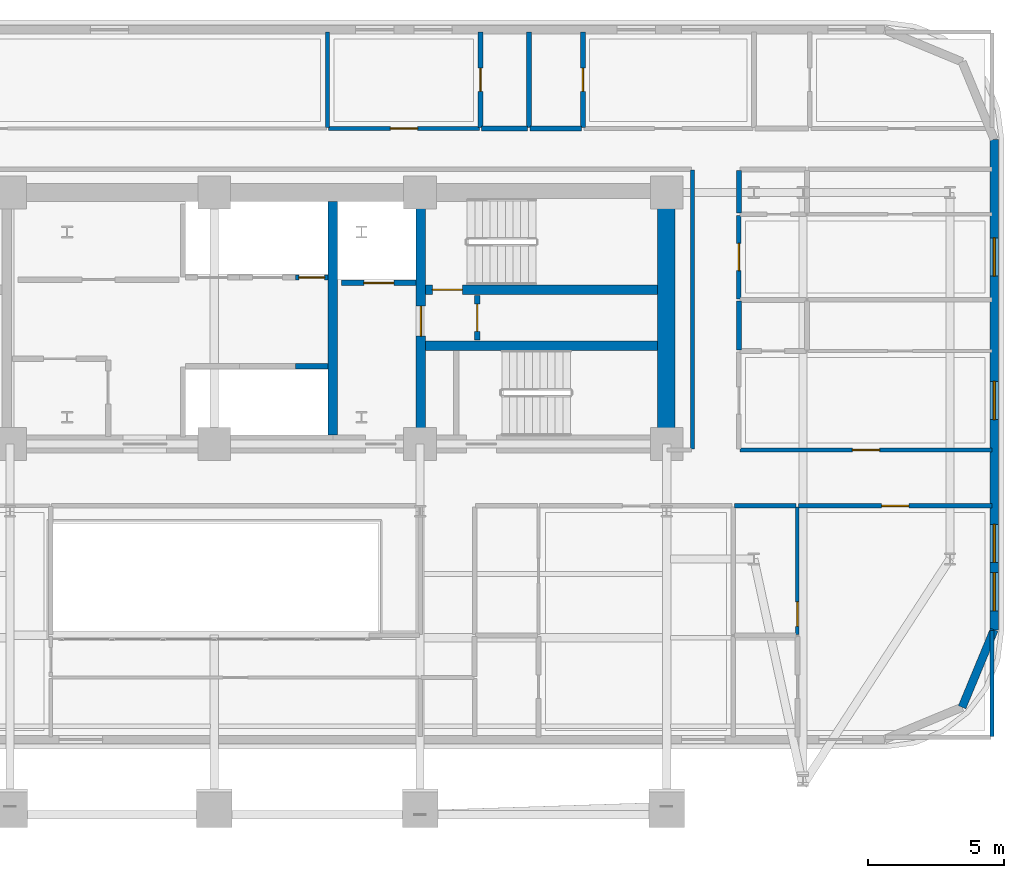
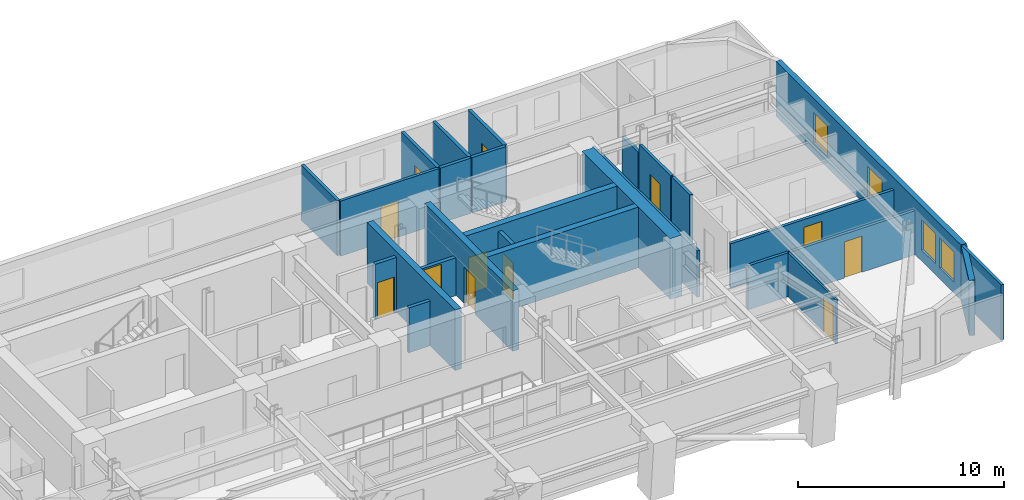
# One storey, part 10 of 14: 27 walls, 12 doors, 4 windows, 16 openings.
"""IFC4 building model written with IfcOpenShell, lengths in metres."""

import ifcopenshell
import ifcopenshell.guid

model = None  # the IFC model being written
_history = None  # IfcOwnerHistory: only IFC2X3 demands one
_inside = {}  # id of a spatial element -> (the spatial element, [elements in it])
_under = {}  # id of a project, library or spatial element -> (it, [spatial elements below it])
_declared = {}  # id of a project -> (the project, [libraries it declares])
_typed = {}  # id of a type object -> (the type object, [elements of that type])
_made_of = {}  # id of a material, layer set ... -> (it, [elements and type objects made of it])


def new_model(schema):
    """Start an empty IFC model of exactly this schema.

    Asked for "IFC4X3", IfcOpenShell would pick the latest addendum, in which some entities
    have other attributes; the version numbers below select the first issue.
    IFC2X3 requires an IfcOwnerHistory on every rooted entity: one is made here for all.
    """
    global model, _history
    if schema == "IFC4X3":
        model = ifcopenshell.file(schema_version=(4, 3, 0, 0))
    else:
        model = ifcopenshell.file(schema=schema)
    _inside.clear()
    _under.clear()
    _declared.clear()
    _typed.clear()
    _made_of.clear()
    _history = None
    if model.schema == "IFC2X3":
        org = make("IfcOrganization", Name="unknown")
        user = make(
            "IfcPersonAndOrganization",
            ThePerson=make("IfcPerson", FamilyName="unknown"),
            TheOrganization=org,
        )
        app = make(
            "IfcApplication",
            ApplicationDeveloper=org,
            Version="unknown",
            ApplicationFullName="unknown",
            ApplicationIdentifier="unknown",
        )
        _history = make(
            "IfcOwnerHistory",
            OwningUser=user,
            OwningApplication=app,
            ChangeAction="ADDED",
            CreationDate=0,
        )
    return model


def make(cls, **values):
    """One entity of the class cls with the attributes given. An attribute that is None is left unset."""
    return model.create_entity(
        cls, **{name: value for name, value in values.items() if value is not None}
    )


def rooted(cls, **values):
    """An entity with a GlobalId (a new one), such as an element, a storey or a relation."""
    return make(cls, GlobalId=ifcopenshell.guid.new(), OwnerHistory=_history, **values)


def si_unit(unit_type, name, prefix=None):
    """IfcSIUnit, for example si_unit("LENGTHUNIT", "METRE", prefix="MILLI")."""
    return make("IfcSIUnit", UnitType=unit_type, Prefix=prefix, Name=name)


def assignment(units):
    """IfcUnitAssignment: the units of a project."""
    return None if units is None else make("IfcUnitAssignment", Units=units)


def point(xyz):
    """IfcCartesianPoint."""
    return None if xyz is None else make("IfcCartesianPoint", Coordinates=xyz)


def direction(xyz):
    """IfcDirection."""
    return None if xyz is None else make("IfcDirection", DirectionRatios=xyz)


def frame(location, z_axis=None, x_axis=None):
    """IfcAxis2Placement3D, a coordinate frame: its origin and axes. An axis left out is left unset."""
    return make(
        "IfcAxis2Placement3D",
        Location=point(location),
        Axis=direction(z_axis),
        RefDirection=direction(x_axis),
    )


def frame_2d(location, x_axis=None):
    """IfcAxis2Placement2D, a coordinate frame in the plane: its origin and x axis."""
    return make(
        "IfcAxis2Placement2D", Location=point(location), RefDirection=direction(x_axis)
    )


def origin():
    """The frame at (0, 0, 0) with its axes left unset."""
    return frame((0.0, 0.0, 0.0))


def place(relative_to, where):
    """IfcLocalPlacement: puts the frame where relative to a parent placement (None: the world)."""
    return make(
        "IfcLocalPlacement", PlacementRelTo=relative_to, RelativePlacement=where
    )


def context(
    kind, dimensions, precision=None, world=None, true_north=None, identifier=None
):
    """IfcGeometricRepresentationContext, for example the 3D "Model" context."""
    return make(
        "IfcGeometricRepresentationContext",
        ContextIdentifier=identifier,
        ContextType=kind,
        CoordinateSpaceDimension=dimensions,
        Precision=precision,
        WorldCoordinateSystem=world,
        TrueNorth=true_north,
    )


def subcontext(parent, identifier, kind, view, scale=None):
    """IfcGeometricRepresentationSubContext, for example "Body" below "Model"."""
    return make(
        "IfcGeometricRepresentationSubContext",
        ContextIdentifier=identifier,
        ContextType=kind,
        ParentContext=parent,
        TargetScale=scale,
        TargetView=view,
    )


def project(units=None, contexts=None):
    """IfcProject with its units and contexts."""
    return rooted(
        "IfcProject",
        Name="project",
        RepresentationContexts=contexts,
        UnitsInContext=assignment(units),
    )


def spatial(cls, under=None, at=None, **own):
    """A site, building, storey or space (cls), placed at a placement, below another one or the project."""
    s = rooted(cls, ObjectPlacement=at, **own)
    if under is not None:
        _under.setdefault(under.id(), (under, []))[1].append(s)
    return s


def profile(cls, at=None, kind="AREA", **sizes):
    """A parametric profile (cls). Its sizes go by their IFC names, for example OverallWidth=200.0."""
    return make(cls, ProfileType=kind, Position=at, **sizes)


def rectangle(**sizes):
    """IfcRectangleProfileDef."""
    return profile("IfcRectangleProfileDef", **sizes)


def extrude(swept, where, along, depth):
    """IfcExtrudedAreaSolid: the profile swept, set in the frame where, extruded along a direction by depth."""
    return make(
        "IfcExtrudedAreaSolid",
        SweptArea=swept,
        Position=where,
        ExtrudedDirection=direction(along),
        Depth=depth,
    )


def shape(context_of_items, identifier, shape_type, items):
    """IfcShapeRepresentation: the items that make up one representation, for example the "Body"."""
    return make(
        "IfcShapeRepresentation",
        ContextOfItems=context_of_items,
        RepresentationIdentifier=identifier,
        RepresentationType=shape_type,
        Items=items,
    )


def material(Name=None, Category=None):
    """IfcMaterial."""
    return make("IfcMaterial", Name=Name, Category=Category)


def layer(
    of_material, thickness, ventilated=None, Name=None, Category=None, Priority=None
):
    """IfcMaterialLayer: one layer of a wall or slab, of a material (None: an air gap)."""
    return make(
        "IfcMaterialLayer",
        Material=of_material,
        LayerThickness=thickness,
        IsVentilated=ventilated,
        Name=Name,
        Category=Category,
        Priority=Priority,
    )


def layer_set(layers, Name=None):
    """IfcMaterialLayerSet."""
    return make("IfcMaterialLayerSet", MaterialLayers=layers, LayerSetName=Name)


def made_of(thing, what):
    """Note that an element or type object is made of a material, layer set ...; save() writes the relation."""
    if what is not None:
        _made_of.setdefault(what.id(), (what, []))[1].append(thing)
    return thing


def type_object(cls, material=None, **own):
    """A type object (cls), such as IfcWallType, which elements share."""
    return made_of(rooted(cls, **own), material)


def element(
    cls,
    number,
    at=None,
    inside=None,
    cuts=None,
    type_object=None,
    material=None,
    context=None,
    identifier="Body",
    shape_type=None,
    held_by="IfcProductDefinitionShape",
    body=None,
    shapes=None,
    **own,
):
    """One element of the class cls, such as IfcWall. Its Tag is "e" and its number.

    at: its placement. inside: the storey or other place that contains it. cuts: it is an
    opening in that element (IfcRelVoidsElement). A single representation is given by context,
    identifier, shape_type and body (its items); several are given by shapes. held_by: the class
    of the entity that holds the representations. save() writes the other relations.
    """
    e = rooted(cls, Tag="e%d" % number, ObjectPlacement=at, **own)
    if body is not None:
        shapes = [shape(context, identifier, shape_type, body)]
    if shapes is not None:
        e.Representation = make(held_by, Representations=shapes)
    if inside is not None:
        _inside.setdefault(inside.id(), (inside, []))[1].append(e)
    if cuts is not None:
        rooted(
            "IfcRelVoidsElement", RelatingBuildingElement=cuts, RelatedOpeningElement=e
        )
    if type_object is not None:
        _typed.setdefault(type_object.id(), (type_object, []))[1].append(e)
    return made_of(e, material)


def fill(opening, filler):
    """IfcRelFillsElement: the door or window that sits in an opening."""
    return rooted(
        "IfcRelFillsElement",
        RelatingOpeningElement=opening,
        RelatedBuildingElement=filler,
    )


def aggregate(whole, parts):
    """IfcRelAggregates: a whole, such as a stair, and the parts it consists of."""
    return rooted("IfcRelAggregates", RelatingObject=whole, RelatedObjects=parts)


def save(model, path):
    """Write the relations noted so far, then the file.

    IfcRelAggregates (storeys below a building ...), IfcRelContainedInSpatialStructure (elements
    in a storey), IfcRelDefinesByType, IfcRelAssociatesMaterial and IfcRelDeclares: one each for
    every whole, place, type object, material and project.
    """
    for whole, parts in _under.values():
        aggregate(whole, parts)
    for where, things in _inside.values():
        rooted(
            "IfcRelContainedInSpatialStructure",
            RelatedElements=things,
            RelatingStructure=where,
        )
    for kind, things in _typed.values():
        rooted("IfcRelDefinesByType", RelatedObjects=things, RelatingType=kind)
    for what, things in _made_of.values():
        rooted("IfcRelAssociatesMaterial", RelatedObjects=things, RelatingMaterial=what)
    for by, libraries in _declared.values():
        rooted("IfcRelDeclares", RelatingContext=by, RelatedDefinitions=libraries)
    model.write(path)


model = new_model("IFC4")

# Units and contexts
model_context = context("Model", 3, precision=1e-05, world=origin(), true_north=direction((0.0, 1.0)))
body_context = subcontext(model_context, "Body", "Model", "MODEL_VIEW")
ifc_project = project(units=[si_unit("LENGTHUNIT", "METRE"), si_unit("AREAUNIT", "SQUARE_METRE"), si_unit("VOLUMEUNIT", "CUBIC_METRE"), si_unit("PLANEANGLEUNIT", "RADIAN"), si_unit("MASSUNIT", "GRAM", prefix="KILO")], contexts=[model_context])

# Site, building, storey
site_placement = place(None, origin())
site = spatial("IfcSite", under=ifc_project, at=site_placement, CompositionType="ELEMENT")
building_placement = place(site_placement, origin())
building = spatial("IfcBuilding", under=site, at=building_placement, Name="Zarnavel Station Tower", CompositionType="ELEMENT")
storey_placement = place(building_placement, frame((0.0, 0.0, 129.300048828125)))
storey = spatial("IfcBuildingStorey", under=building, at=storey_placement, Name="L35", CompositionType="ELEMENT", Elevation=129.300048828125)

# Wall
ifc_material_1 = material(Name="Concrete C50/60", Category="concrete")
ifc_layer_1 = layer(ifc_material_1, 0.35009765625)
ifc_layer_set_1 = layer_set([ifc_layer_1], Name="CW_350")
wall_type_1 = type_object("IfcWallType", Name="CW_350", PredefinedType="SHEAR", material=ifc_layer_set_1)
wall_1_placement = place(storey_placement, frame((33.14990234375, 28.14501953125, 0.0), z_axis=(0.0, 0.0, 1.0), x_axis=(0.0, 1.0, 0.0)))
element("IfcWall", 1, at=wall_1_placement, inside=storey, type_object=wall_type_1, Name="L35 Rear Core Shear Wall DIV-E", PredefinedType="SHEAR", context=body_context, shape_type="SweptSolid", body=[
    extrude(rectangle(XDim=8.580078125, YDim=0.35009765625, at=frame_2d((4.2900390625, 0.0))), origin(), (0.0, 0.0, 1.0), 3.599853515625),
])

# Wall, opening, door
wall_2_placement = place(storey_placement, frame((36.3798828125, 28.14501953125, 0.0), z_axis=(0.0, 0.0, 1.0), x_axis=(0.0, 1.0, 0.0)))
wall_2 = element("IfcWall", 2, at=wall_2_placement, inside=storey, type_object=wall_type_1, Name="L35 Rear Core Shear Wall DIV-S2", PredefinedType="SHEAR", context=body_context, shape_type="SweptSolid", body=[
    extrude(rectangle(XDim=8.580078125, YDim=0.35009765625, at=frame_2d((4.2900390625, 0.0))), origin(), (0.0, 0.0, 1.0), 3.599853515625),
])
opening_1_placement = place(wall_2_placement, frame((3.635009765625, 0.0, 0.0)))
opening_1 = element("IfcOpeningElement", 3, at=opening_1_placement, cuts=wall_2, Name="Opening FD01", PredefinedType="OPENING", context=body_context, shape_type="SweptSolid", body=[
    extrude(rectangle(XDim=1.10009765625, YDim=2.14990234375, at=frame_2d((0.550048828125, 1.074951171875))), frame((0.0, 0.18505859375, 0.0), z_axis=(0.0, -1.0, 0.0), x_axis=(1.0, 0.0, 0.0)), (0.0, 0.0, 1.0), 0.3701171875),
])
ifc_material_2 = material(Name="Painted Galvanised Steel and Hardwood Leaf", Category="steel")
door_type_1 = type_object("IfcDoorType", Name="ID_STAIR_1100", OperationType="NOTDEFINED", PredefinedType="DOOR", material=ifc_material_2)
door_1_placement = place(opening_1_placement, origin())
door_1 = element("IfcDoor", 4, at=door_1_placement, inside=storey, type_object=door_type_1, Name="L35 East Stair Vestibule Fire Door", OperationType="SINGLE_SWING_LEFT", OverallHeight=2.14990234375, OverallWidth=1.10009765625, PredefinedType="DOOR", context=body_context, shape_type="SweptSolid", body=[
    extrude(rectangle(XDim=1.10009765625, YDim=2.14990234375, at=frame_2d((0.550048828125, 1.074951171875))), frame((0.0, 0.02490234375, 0.0), z_axis=(0.0, -1.0, 0.0), x_axis=(1.0, 0.0, 0.0)), (0.0, 0.0, 1.0), 0.050048828125),
])
fill(opening_1, door_1)

wall_3_placement = place(storey_placement, frame((45.054931640625, 33.47998046875, 0.0), z_axis=(0.0, 0.0, 1.0), x_axis=(-1.0, 0.0, 0.0)))
wall_3 = element("IfcWall", 5, at=wall_3_placement, inside=storey, type_object=wall_type_1, Name="L35 Rear Core Shear Wall DIV-H2", PredefinedType="SHEAR", context=body_context, shape_type="SweptSolid", body=[
    extrude(rectangle(XDim=8.5, YDim=0.35009765625, at=frame_2d((4.25, 0.0))), origin(), (0.0, 0.0, 1.0), 3.599853515625),
])
opening_2_placement = place(wall_3_placement, frame((7.155029296875, 0.0, 0.0)))
opening_2 = element("IfcOpeningElement", 6, at=opening_2_placement, cuts=wall_3, Name="Opening FD01", PredefinedType="OPENING", context=body_context, shape_type="SweptSolid", body=[
    extrude(rectangle(XDim=1.10009765625, YDim=2.14990234375, at=frame_2d((0.550048828125, 1.074951171875))), frame((0.0, 0.18505859375, 0.0), z_axis=(0.0, -1.0, 0.0), x_axis=(1.0, 0.0, 0.0)), (0.0, 0.0, 1.0), 0.3701171875),
])
door_2_placement = place(opening_2_placement, origin())
door_2 = element("IfcDoor", 7, at=door_2_placement, inside=storey, type_object=door_type_1, Name="L35 Stair ST2 Lobby Fire Door", OperationType="SINGLE_SWING_RIGHT", OverallHeight=2.14990234375, OverallWidth=1.10009765625, PredefinedType="DOOR", context=body_context, shape_type="SweptSolid", body=[
    extrude(rectangle(XDim=1.10009765625, YDim=2.14990234375, at=frame_2d((0.550048828125, 1.074951171875))), frame((0.0, 0.02490234375, 0.0), z_axis=(0.0, -1.0, 0.0), x_axis=(1.0, 0.0, 0.0)), (0.0, 0.0, 1.0), 0.050048828125),
])
fill(opening_2, door_2)

# Walls
wall_4_placement = place(storey_placement, frame((36.554931640625, 31.419921875, 0.0), z_axis=(0.0, 0.0, 1.0), x_axis=(1.0, 0.0, 0.0)))
element("IfcWall", 8, at=wall_4_placement, inside=storey, type_object=wall_type_1, Name="L35 Rear Core Shear Wall DIV-H3", PredefinedType="SHEAR", context=body_context, shape_type="SweptSolid", body=[
    extrude(rectangle(XDim=8.5, YDim=0.35009765625, at=frame_2d((4.25, 0.0))), origin(), (0.0, 0.0, 1.0), 3.599853515625),
])
ifc_material_3 = material(Name="Concrete C60/75", Category="concrete")
ifc_layer_2 = layer(ifc_material_3, 0.64990234375)
ifc_layer_set_2 = layer_set([ifc_layer_2], Name="CW_650")
wall_type_2 = type_object("IfcWallType", Name="CW_650", PredefinedType="SHEAR", material=ifc_layer_set_2)
wall_5_placement = place(storey_placement, frame((45.3798828125, 28.14501953125, 0.0), z_axis=(0.0, 0.0, 1.0), x_axis=(0.0, 1.0, 0.0)))
element("IfcWall", 9, at=wall_5_placement, inside=storey, type_object=wall_type_2, Name="L35 Rear Core Shear Wall E", PredefinedType="SHEAR", context=body_context, shape_type="SweptSolid", body=[
    extrude(rectangle(XDim=8.580078125, YDim=0.64990234375, at=frame_2d((4.2900390625, 0.0))), origin(), (0.0, 0.0, 1.0), 3.599853515625),
])
ifc_material_4 = material(Name="Precast concrete C45/55 (Dark Basalt Finish)", Category="masonry")
ifc_layer_3 = layer(ifc_material_4, 0.300048828125)
ifc_layer_set_3 = layer_set([ifc_layer_3], Name="EW_BASALT_300")
wall_type_3 = type_object("IfcWallType", Name="EW_BASALT_300", PredefinedType="SOLIDWALL", material=ifc_layer_set_3)
wall_6_placement = place(storey_placement, frame((57.419921875, 21.0, 0.0), z_axis=(0.0, 0.0, 1.0), x_axis=(-0.382636798336, -0.92389884758, 0.0)))
element("IfcWall", 10, at=wall_6_placement, inside=storey, type_object=wall_type_3, Name="L35 Exterior Basalt Masonry Frame Wall 02", PredefinedType="SOLIDWALL", context=body_context, shape_type="SweptSolid", body=[
    extrude(rectangle(XDim=3.07666015625, YDim=0.300048828125, at=frame_2d((1.538330078125, 0.0))), origin(), (0.0, 0.0, 1.0), 3.280029296875),
])

# Wall, openings, windows
wall_7_placement = place(storey_placement, frame((57.419921875, 39.0, 0.0), z_axis=(0.0, 0.0, 1.0), x_axis=(0.0, -1.0, 0.0)))
wall_7 = element("IfcWall", 11, at=wall_7_placement, inside=storey, type_object=wall_type_3, Name="L35 Exterior Basalt Masonry Frame Wall 03", PredefinedType="SOLIDWALL", context=body_context, shape_type="SweptSolid", body=[
    extrude(rectangle(XDim=18.0, YDim=0.300048828125, at=frame_2d((9.0, 0.0))), origin(), (0.0, 0.0, 1.0), 3.280029296875),
])
opening_3_placement = place(wall_7_placement, frame((8.882080078125, 0.0, 0.64990234375)))
opening_3 = element("IfcOpeningElement", 12, at=opening_3_placement, cuts=wall_7, Name="Opening WN01", PredefinedType="OPENING", context=body_context, shape_type="SweptSolid", body=[
    extrude(rectangle(XDim=1.39990234375, YDim=1.800048828125, at=frame_2d((0.699951171875, 0.89990234375))), frame((0.0, 0.159912109375, 0.0), z_axis=(0.0, -1.0, 0.0), x_axis=(1.0, 0.0, 0.0)), (0.0, 0.0, 1.0), 0.320068359375),
])
opening_4_placement = place(wall_7_placement, frame((3.62060546875, 0.0, 0.64990234375)))
opening_4 = element("IfcOpeningElement", 13, at=opening_4_placement, cuts=wall_7, Name="Opening WN01", PredefinedType="OPENING", context=body_context, shape_type="SweptSolid", body=[
    extrude(rectangle(XDim=1.39990234375, YDim=1.800048828125, at=frame_2d((0.699951171875, 0.89990234375))), frame((0.0, 0.159912109375, 0.0), z_axis=(0.0, -1.0, 0.0), x_axis=(1.0, 0.0, 0.0)), (0.0, 0.0, 1.0), 0.320068359375),
])
opening_5_placement = place(wall_7_placement, frame((14.126708984375, 0.0, 0.64990234375)))
opening_5 = element("IfcOpeningElement", 14, at=opening_5_placement, cuts=wall_7, Name="Opening WN01", PredefinedType="OPENING", context=body_context, shape_type="SweptSolid", body=[
    extrude(rectangle(XDim=1.39990234375, YDim=1.800048828125, at=frame_2d((0.699951171875, 0.89990234375))), frame((0.0, 0.159912109375, 0.0), z_axis=(0.0, -1.0, 0.0), x_axis=(1.0, 0.0, 0.0)), (0.0, 0.0, 1.0), 0.320068359375),
])
opening_6_placement = place(wall_7_placement, frame((15.9033203125, 0.0, 0.64990234375)))
opening_6 = element("IfcOpeningElement", 15, at=opening_6_placement, cuts=wall_7, Name="Opening WN01", PredefinedType="OPENING", context=body_context, shape_type="SweptSolid", body=[
    extrude(rectangle(XDim=1.39990234375, YDim=1.800048828125, at=frame_2d((0.699951171875, 0.89990234375))), frame((0.0, 0.159912109375, 0.0), z_axis=(0.0, -1.0, 0.0), x_axis=(1.0, 0.0, 0.0)), (0.0, 0.0, 1.0), 0.320068359375),
])
ifc_material_5 = material(Name="Thermally Broken Black Aluminium and Low-E Dark Glass", Category="aluminium")
window_type = type_object("IfcWindowType", Name="WN_1400x1800", PartitioningType="DOUBLE_PANEL_VERTICAL", PredefinedType="WINDOW", material=ifc_material_5)
window_1_placement = place(opening_3_placement, origin())
window_1 = element("IfcWindow", 16, at=window_1_placement, inside=storey, type_object=window_type, Name="L35 Recessed Facade Window 01", OverallHeight=1.800048828125, OverallWidth=1.39990234375, PartitioningType="SINGLE_PANEL", PredefinedType="WINDOW", context=body_context, shape_type="SweptSolid", body=[
    extrude(rectangle(XDim=1.39990234375, YDim=1.800048828125, at=frame_2d((0.699951171875, 0.89990234375))), frame((0.0, 0.030029296875, 0.0), z_axis=(0.0, -1.0, 0.0), x_axis=(1.0, 0.0, 0.0)), (0.0, 0.0, 1.0), 0.06005859375),
])
fill(opening_3, window_1)
window_2_placement = place(opening_4_placement, origin())
window_2 = element("IfcWindow", 17, at=window_2_placement, inside=storey, type_object=window_type, Name="L35 Recessed Facade Window 02", OverallHeight=1.800048828125, OverallWidth=1.39990234375, PartitioningType="SINGLE_PANEL", PredefinedType="WINDOW", context=body_context, shape_type="SweptSolid", body=[
    extrude(rectangle(XDim=1.39990234375, YDim=1.800048828125, at=frame_2d((0.699951171875, 0.89990234375))), frame((0.0, 0.030029296875, 0.0), z_axis=(0.0, -1.0, 0.0), x_axis=(1.0, 0.0, 0.0)), (0.0, 0.0, 1.0), 0.06005859375),
])
fill(opening_4, window_2)
window_3_placement = place(opening_5_placement, origin())
window_3 = element("IfcWindow", 18, at=window_3_placement, inside=storey, type_object=window_type, Name="L35 Recessed Facade Window 03", OverallHeight=1.800048828125, OverallWidth=1.39990234375, PartitioningType="SINGLE_PANEL", PredefinedType="WINDOW", context=body_context, shape_type="SweptSolid", body=[
    extrude(rectangle(XDim=1.39990234375, YDim=1.800048828125, at=frame_2d((0.699951171875, 0.89990234375))), frame((0.0, 0.030029296875, 0.0), z_axis=(0.0, -1.0, 0.0), x_axis=(1.0, 0.0, 0.0)), (0.0, 0.0, 1.0), 0.06005859375),
])
fill(opening_5, window_3)
window_4_placement = place(opening_6_placement, origin())
window_4 = element("IfcWindow", 19, at=window_4_placement, inside=storey, type_object=window_type, Name="L35 Recessed Facade Window 04", OverallHeight=1.800048828125, OverallWidth=1.39990234375, PartitioningType="SINGLE_PANEL", PredefinedType="WINDOW", context=body_context, shape_type="SweptSolid", body=[
    extrude(rectangle(XDim=1.39990234375, YDim=1.800048828125, at=frame_2d((0.699951171875, 0.89990234375))), frame((0.0, 0.030029296875, 0.0), z_axis=(0.0, -1.0, 0.0), x_axis=(1.0, 0.0, 0.0)), (0.0, 0.0, 1.0), 0.06005859375),
])
fill(opening_6, window_4)

# Wall, opening, door
ifc_material_6 = material(Name="Gypsum Twin-Stud Acoustic Fire Partition", Category="concrete")
ifc_layer_4 = layer(ifc_material_6, 0.159912109375)
ifc_layer_set_4 = layer_set([ifc_layer_4], Name="PT_DEMISE_160")
wall_type_4 = type_object("IfcWallType", Name="PT_DEMISE_160", PredefinedType="PARTITIONING", material=ifc_layer_set_4)
wall_8_placement = place(storey_placement, frame((48.090087890625, 27.60009765625, 0.0), z_axis=(0.0, 0.0, 1.0), x_axis=(1.0, 0.0, 0.0)))
wall_8 = element("IfcWall", 20, at=wall_8_placement, inside=storey, type_object=wall_type_4, Name="L35 Partition COR-S-FNE1R", PredefinedType="PARTITIONING", context=body_context, shape_type="SweptSolid", body=[
    extrude(rectangle(XDim=9.25, YDim=0.159912109375, at=frame_2d((4.625, 0.0))), origin(), (0.0, 0.0, 1.0), 2.60986328125),
])
opening_7_placement = place(wall_8_placement, frame((4.125, 0.0, 0.0)))
opening_7 = element("IfcOpeningElement", 21, at=opening_7_placement, cuts=wall_8, Name="Opening FD02", PredefinedType="OPENING", context=body_context, shape_type="SweptSolid", body=[
    extrude(rectangle(XDim=1.0, YDim=2.14990234375, at=frame_2d((0.5, 1.074951171875))), frame((0.0, 0.08984375, 0.0), z_axis=(0.0, -1.0, 0.0), x_axis=(1.0, 0.0, 0.0)), (0.0, 0.0, 1.0), 0.179931640625),
])
ifc_material_7 = material(Name="Painted Galvanised Steel and Hardwood Leaf", Category="steel")
door_type_2 = type_object("IfcDoorType", Name="ID_ENTRY_1000", OperationType="NOTDEFINED", PredefinedType="DOOR", material=ifc_material_7)
door_3_placement = place(opening_7_placement, origin())
door_3 = element("IfcDoor", 22, at=door_3_placement, inside=storey, type_object=door_type_2, Name="L35 Door COR-S-FNE1R", OperationType="SINGLE_SWING_RIGHT", OverallHeight=2.14990234375, OverallWidth=1.0, PredefinedType="DOOR", context=body_context, shape_type="SweptSolid", body=[
    extrude(rectangle(XDim=1.0, YDim=2.14990234375, at=frame_2d((0.5, 1.074951171875))), frame((0.0, 0.02490234375, 0.0), z_axis=(0.0, -1.0, 0.0), x_axis=(1.0, 0.0, 0.0)), (0.0, 0.0, 1.0), 0.050048828125),
])
fill(opening_7, door_3)

wall_9_placement = place(storey_placement, frame((50.235107421875, 25.550048828125, 0.0), z_axis=(0.0, 0.0, 1.0), x_axis=(1.0, 0.0, 0.0)))
wall_9 = element("IfcWall", 23, at=wall_9_placement, inside=storey, type_object=wall_type_4, Name="L35 Partition COR-S-HE1BR", PredefinedType="PARTITIONING", context=body_context, shape_type="SweptSolid", body=[
    extrude(rectangle(XDim=7.10498046875, YDim=0.159912109375, at=frame_2d((3.552490234375, 0.0))), origin(), (0.0, 0.0, 1.0), 2.60986328125),
])
opening_8_placement = place(wall_9_placement, frame((3.052490234375, 0.0, 0.0)))
opening_8 = element("IfcOpeningElement", 24, at=opening_8_placement, cuts=wall_9, Name="Opening FD02", PredefinedType="OPENING", context=body_context, shape_type="SweptSolid", body=[
    extrude(rectangle(XDim=1.0, YDim=2.14990234375, at=frame_2d((0.5, 1.074951171875))), frame((0.0, 0.08984375, 0.0), z_axis=(0.0, -1.0, 0.0), x_axis=(1.0, 0.0, 0.0)), (0.0, 0.0, 1.0), 0.179931640625),
])
door_4_placement = place(opening_8_placement, origin())
door_4 = element("IfcDoor", 25, at=door_4_placement, inside=storey, type_object=door_type_2, Name="L35 Door COR-S-HE1BR", OperationType="SINGLE_SWING_RIGHT", OverallHeight=2.14990234375, OverallWidth=1.0, PredefinedType="DOOR", context=body_context, shape_type="SweptSolid", body=[
    extrude(rectangle(XDim=1.0, YDim=2.14990234375, at=frame_2d((0.5, 1.074951171875))), frame((0.0, 0.02490234375, 0.0), z_axis=(0.0, -1.0, 0.0), x_axis=(1.0, 0.0, 0.0)), (0.0, 0.0, 1.0), 0.050048828125),
])
fill(opening_8, door_4)

# Wall
wall_10_placement = place(storey_placement, frame((47.885009765625, 25.550048828125, 0.0), z_axis=(0.0, 0.0, 1.0), x_axis=(1.0, 0.0, 0.0)))
element("IfcWall", 26, at=wall_10_placement, inside=storey, type_object=wall_type_4, Name="L35 Partition COR-S-HE1BS", PredefinedType="PARTITIONING", context=body_context, shape_type="SweptSolid", body=[
    extrude(rectangle(XDim=2.27001953125, YDim=0.159912109375, at=frame_2d((1.135009765625, 0.0))), origin(), (0.0, 0.0, 1.0), 2.60986328125),
])

# Wall, opening, door
wall_11_placement = place(storey_placement, frame((48.050048828125, 33.14892578125, 0.0), z_axis=(0.0, 0.0, 1.0), x_axis=(0.0, 1.0, 0.0)))
wall_11 = element("IfcWall", 27, at=wall_11_placement, inside=storey, type_object=wall_type_4, Name="L35 Partition COR-E-FNE2R", PredefinedType="PARTITIONING", context=body_context, shape_type="SweptSolid", body=[
    extrude(rectangle(XDim=3.06103515625, YDim=0.159912109375, at=frame_2d((1.530517578125, 0.0))), origin(), (0.0, 0.0, 1.0), 3.280029296875),
])
opening_9_placement = place(wall_11_placement, frame((1.030517578125, 0.0, 0.0)))
opening_9 = element("IfcOpeningElement", 28, at=opening_9_placement, cuts=wall_11, Name="Opening FD02", PredefinedType="OPENING", context=body_context, shape_type="SweptSolid", body=[
    extrude(rectangle(XDim=1.0, YDim=2.14990234375, at=frame_2d((0.5, 1.074951171875))), frame((0.0, 0.08984375, 0.0), z_axis=(0.0, -1.0, 0.0), x_axis=(1.0, 0.0, 0.0)), (0.0, 0.0, 1.0), 0.179931640625),
])
door_5_placement = place(opening_9_placement, origin())
door_5 = element("IfcDoor", 29, at=door_5_placement, inside=storey, type_object=door_type_2, Name="L35 Door COR-E-FNE2R", OperationType="SINGLE_SWING_RIGHT", OverallHeight=2.14990234375, OverallWidth=1.0, PredefinedType="DOOR", context=body_context, shape_type="SweptSolid", body=[
    extrude(rectangle(XDim=1.0, YDim=2.14990234375, at=frame_2d((0.5, 1.074951171875))), frame((0.0, 0.02490234375, 0.0), z_axis=(0.0, -1.0, 0.0), x_axis=(1.0, 0.0, 0.0)), (0.0, 0.0, 1.0), 0.050048828125),
])
fill(opening_9, door_5)

wall_12_placement = place(storey_placement, frame((32.989990234375, 39.39990234375, 0.0), z_axis=(0.0, 0.0, 1.0), x_axis=(1.0, 0.0, 0.0)))
wall_12 = element("IfcWall", 30, at=wall_12_placement, inside=storey, type_object=wall_type_4, Name="L35 Partition COR-N-HN1R", PredefinedType="PARTITIONING", context=body_context, shape_type="SweptSolid", body=[
    extrude(rectangle(XDim=5.537109375, YDim=0.159912109375, at=frame_2d((2.7685546875, 0.0))), origin(), (0.0, 0.0, 1.0), 3.280029296875),
])
opening_10_placement = place(wall_12_placement, frame((2.2685546875, 0.0, 0.0)))
opening_10 = element("IfcOpeningElement", 31, at=opening_10_placement, cuts=wall_12, Name="Opening FD02", PredefinedType="OPENING", context=body_context, shape_type="SweptSolid", body=[
    extrude(rectangle(XDim=1.0, YDim=2.14990234375, at=frame_2d((0.5, 1.074951171875))), frame((0.0, 0.08984375, 0.0), z_axis=(0.0, -1.0, 0.0), x_axis=(1.0, 0.0, 0.0)), (0.0, 0.0, 1.0), 0.179931640625),
])
door_6_placement = place(opening_10_placement, origin())
door_6 = element("IfcDoor", 32, at=door_6_placement, inside=storey, type_object=door_type_2, Name="L35 Door COR-N-HN1R", OperationType="SINGLE_SWING_LEFT", OverallHeight=2.14990234375, OverallWidth=1.0, PredefinedType="DOOR", context=body_context, shape_type="SweptSolid", body=[
    extrude(rectangle(XDim=1.0, YDim=2.14990234375, at=frame_2d((0.5, 1.074951171875))), frame((0.0, 0.02490234375, 0.0), z_axis=(0.0, -1.0, 0.0), x_axis=(1.0, 0.0, 0.0)), (0.0, 0.0, 1.0), 0.050048828125),
])
fill(opening_10, door_6)

# Walls
wall_13_placement = place(storey_placement, frame((32.949951171875, 39.43994140625, 0.0), z_axis=(0.0, 0.0, 1.0), x_axis=(0.0, 1.0, 0.0)))
element("IfcWall", 33, at=wall_13_placement, inside=storey, type_object=wall_type_4, Name="L35 Partition NCLB-HN1R", PredefinedType="PARTITIONING", context=body_context, shape_type="SweptSolid", body=[
    extrude(rectangle(XDim=3.5, YDim=0.159912109375, at=frame_2d((1.75, 0.0))), origin(), (0.0, 0.0, 1.0), 3.280029296875),
])
wall_14_placement = place(storey_placement, frame((46.35009765625, 27.6298828125, 0.0), z_axis=(0.0, 0.0, 1.0), x_axis=(0.0, 1.0, 0.0)))
element("IfcWall", 34, at=wall_14_placement, inside=storey, type_object=wall_type_4, Name="L35 Enclosure Wall COR-E", PredefinedType="PARTITIONING", context=body_context, shape_type="SweptSolid", body=[
    extrude(rectangle(XDim=10.240234375, YDim=0.159912109375, at=frame_2d((5.1201171875, 0.0))), origin(), (0.0, 0.0, 1.0), 2.760009765625),
])
wall_15_placement = place(storey_placement, frame((57.340087890625, 17.090087890625, 0.0), z_axis=(0.0, 0.0, 1.0), x_axis=(0.0, 1.0, 0.0)))
element("IfcWall", 35, at=wall_15_placement, inside=storey, type_object=wall_type_4, Name="L35 Enclosure Wall HE1BR", PredefinedType="PARTITIONING", context=body_context, shape_type="SweptSolid", body=[
    extrude(rectangle(XDim=3.8798828125, YDim=0.159912109375, at=frame_2d((1.93994140625, 0.0))), origin(), (0.0, 0.0, 1.0), 3.280029296875),
])

# Wall, opening, door
ifc_material_8 = material(Name="Gypsum Metal-Stud Interior Partition", Category="concrete")
ifc_layer_5 = layer(ifc_material_8, 0.1201171875)
ifc_layer_set_5 = layer_set([ifc_layer_5], Name="PT_ROOM_120")
wall_type_5 = type_object("IfcWallType", Name="PT_ROOM_120", PredefinedType="PARTITIONING", material=ifc_layer_set_5)
wall_16_placement = place(storey_placement, frame((50.195068359375, 20.8359375, 0.0), z_axis=(0.0, 0.0, 1.0), x_axis=(0.0, 1.0, 0.0)))
wall_16 = element("IfcWall", 36, at=wall_16_placement, inside=storey, type_object=wall_type_5, Name="L35 Partition HE1BR-HE1BS", PredefinedType="PARTITIONING", context=body_context, shape_type="SweptSolid", body=[
    extrude(rectangle(XDim=4.674072265625, YDim=0.1201171875, at=frame_2d((2.3369140625, 0.0))), origin(), (0.0, 0.0, 1.0), 2.60986328125),
])
opening_11_placement = place(wall_16_placement, frame((0.28564453125, 0.0, 0.0)))
opening_11 = element("IfcOpeningElement", 37, at=opening_11_placement, cuts=wall_16, Name="Opening ID01", PredefinedType="OPENING", context=body_context, shape_type="SweptSolid", body=[
    extrude(rectangle(XDim=0.89990234375, YDim=2.10009765625, at=frame_2d((0.449951171875, 1.050048828125))), frame((0.0, 0.070068359375, 0.0), z_axis=(0.0, -1.0, 0.0), x_axis=(1.0, 0.0, 0.0)), (0.0, 0.0, 1.0), 0.14013671875),
])
ifc_material_9 = material(Name="Painted Galvanised Steel and Hardwood Leaf", Category="steel")
door_type_3 = type_object("IfcDoorType", Name="ID_ROOM_900", OperationType="NOTDEFINED", PredefinedType="DOOR", material=ifc_material_9)
door_7_placement = place(opening_11_placement, origin())
door_7 = element("IfcDoor", 38, at=door_7_placement, inside=storey, type_object=door_type_3, Name="L35 Door HE1BR-HE1BS", OperationType="SINGLE_SWING_RIGHT", OverallHeight=2.10009765625, OverallWidth=0.89990234375, PredefinedType="DOOR", context=body_context, shape_type="SweptSolid", body=[
    extrude(rectangle(XDim=0.89990234375, YDim=2.10009765625, at=frame_2d((0.449951171875, 1.050048828125))), frame((0.0, 0.02490234375, 0.0), z_axis=(0.0, -1.0, 0.0), x_axis=(1.0, 0.0, 0.0)), (0.0, 0.0, 1.0), 0.050048828125),
])
fill(opening_11, door_7)

ifc_material_10 = material(Name="Precast concrete C45/55 (Fire Shaft Blockwork)", Category="masonry")
ifc_layer_6 = layer(ifc_material_10, 0.199951171875)
ifc_layer_set_6 = layer_set([ifc_layer_6], Name="PT_SHAFT_200")
wall_type_6 = type_object("IfcWallType", Name="PT_SHAFT_200", PredefinedType="PARTITIONING", material=ifc_layer_set_6)
wall_17_placement = place(storey_placement, frame((33.47509765625, 33.72998046875, 0.0), z_axis=(0.0, 0.0, 1.0), x_axis=(1.0, 0.0, 0.0)))
wall_17 = element("IfcWall", 39, at=wall_17_placement, inside=storey, type_object=wall_type_6, Name="L35 Lift FFL-02 Shaft Front Wall", PredefinedType="PARTITIONING", context=body_context, shape_type="SweptSolid", body=[
    extrude(rectangle(XDim=2.724853515625, YDim=0.199951171875, at=frame_2d((1.3623046875, 0.0))), origin(), (0.0, 0.0, 1.0), 2.251953125),
])
opening_12_placement = place(wall_17_placement, frame((0.8125, 0.0, 0.0)))
opening_12 = element("IfcOpeningElement", 40, at=opening_12_placement, cuts=wall_17, Name="Opening LD01", PredefinedType="OPENING", context=body_context, shape_type="SweptSolid", body=[
    extrude(rectangle(XDim=1.10009765625, YDim=2.14990234375, at=frame_2d((0.550048828125, 1.074951171875))), frame((0.0, 0.10986328125, 0.0), z_axis=(0.0, -1.0, 0.0), x_axis=(1.0, 0.0, 0.0)), (0.0, 0.0, 1.0), 0.219970703125),
])
ifc_material_11 = material(Name="Painted Galvanised Steel and Hardwood Leaf", Category="steel")
door_type_4 = type_object("IfcDoorType", Name="LD_FF_1100", OperationType="DOUBLE_DOOR_SLIDING", PredefinedType="DOOR", material=ifc_material_11)
door_8_placement = place(opening_12_placement, origin())
door_8 = element("IfcDoor", 41, at=door_8_placement, inside=storey, type_object=door_type_4, Name="L35 Lift FFL-02 Sliding Landing Door", OperationType="DOUBLE_DOOR_SLIDING", OverallHeight=2.14990234375, OverallWidth=1.10009765625, PredefinedType="DOOR", context=body_context, shape_type="SweptSolid", body=[
    extrude(rectangle(XDim=1.10009765625, YDim=2.14990234375, at=frame_2d((0.550048828125, 1.074951171875))), frame((0.0, 0.02490234375, 0.0), z_axis=(0.0, -1.0, 0.0), x_axis=(1.0, 0.0, 0.0)), (0.0, 0.0, 1.0), 0.050048828125),
])
fill(opening_12, door_8)

# Wall
wall_18_placement = place(storey_placement, frame((31.77490234375, 30.669921875, 0.0), z_axis=(0.0, 0.0, 1.0), x_axis=(1.0, 0.0, 0.0)))
element("IfcWall", 42, at=wall_18_placement, inside=storey, type_object=wall_type_6, Name="L35 Lift PL-H3 Shaft Front Wall", PredefinedType="PARTITIONING", context=body_context, shape_type="SweptSolid", body=[
    extrude(rectangle(XDim=1.2001953125, YDim=0.199951171875, at=frame_2d((0.60009765625, 0.0))), origin(), (0.0, 0.0, 1.0), 2.659912109375),
])

# Wall, opening, door
wall_19_placement = place(storey_placement, frame((31.77490234375, 33.929931640625, 0.0), z_axis=(0.0, 0.0, 1.0), x_axis=(1.0, 0.0, 0.0)))
wall_19 = element("IfcWall", 43, at=wall_19_placement, inside=storey, type_object=wall_type_6, Name="L35 Lift PL-M3 Shaft Front Wall", PredefinedType="PARTITIONING", context=body_context, shape_type="SweptSolid", body=[
    extrude(rectangle(XDim=1.2001953125, YDim=0.199951171875, at=frame_2d((0.60009765625, 0.0))), origin(), (0.0, 0.0, 1.0), 3.280029296875),
])
opening_13_placement = place(wall_19_placement, frame((0.125, 0.0, 0.0)))
opening_13 = element("IfcOpeningElement", 44, at=opening_13_placement, cuts=wall_19, Name="Opening LD03", PredefinedType="OPENING", context=body_context, shape_type="SweptSolid", body=[
    extrude(rectangle(XDim=0.949951171875, YDim=2.14990234375, at=frame_2d((0.47509765625, 1.074951171875))), frame((0.0, 0.10986328125, 0.0), z_axis=(0.0, -1.0, 0.0), x_axis=(1.0, 0.0, 0.0)), (0.0, 0.0, 1.0), 0.219970703125),
])
ifc_material_12 = material(Name="Painted Galvanised Steel and Hardwood Leaf", Category="steel")
door_type_5 = type_object("IfcDoorType", Name="LD_PAX_0950", OperationType="DOUBLE_DOOR_SLIDING", PredefinedType="DOOR", material=ifc_material_12)
door_9_placement = place(opening_13_placement, origin())
door_9 = element("IfcDoor", 45, at=door_9_placement, inside=storey, type_object=door_type_5, Name="L35 Lift PL-M3 Sliding Landing Door", OperationType="DOUBLE_DOOR_SLIDING", OverallHeight=2.14990234375, OverallWidth=0.949951171875, PredefinedType="DOOR", context=body_context, shape_type="SweptSolid", body=[
    extrude(rectangle(XDim=0.949951171875, YDim=2.14990234375, at=frame_2d((0.47509765625, 1.074951171875))), frame((0.0, 0.02490234375, 0.0), z_axis=(0.0, -1.0, 0.0), x_axis=(1.0, 0.0, 0.0)), (0.0, 0.0, 1.0), 0.050048828125),
])
fill(opening_13, door_9)

wall_20_placement = place(storey_placement, frame((38.449951171875, 31.639892578125, 0.0), z_axis=(0.0, 0.0, 1.0), x_axis=(0.0, 1.0, 0.0)))
wall_20 = element("IfcWall", 46, at=wall_20_placement, inside=storey, type_object=wall_type_6, Name="L35 Partition ESTV-CEA", PredefinedType="PARTITIONING", context=body_context, shape_type="SweptSolid", body=[
    extrude(rectangle(XDim=1.6201171875, YDim=0.199951171875, at=frame_2d((0.81005859375, 0.0))), origin(), (0.0, 0.0, 1.0), 3.280029296875),
])
opening_14_placement = place(wall_20_placement, frame((0.31005859375, 0.0, 0.0)))
opening_14 = element("IfcOpeningElement", 47, at=opening_14_placement, cuts=wall_20, Name="Opening FD02", PredefinedType="OPENING", context=body_context, shape_type="SweptSolid", body=[
    extrude(rectangle(XDim=1.0, YDim=2.14990234375, at=frame_2d((0.5, 1.074951171875))), frame((0.0, 0.10986328125, 0.0), z_axis=(0.0, -1.0, 0.0), x_axis=(1.0, 0.0, 0.0)), (0.0, 0.0, 1.0), 0.219970703125),
])
door_10_placement = place(opening_14_placement, origin())
door_10 = element("IfcDoor", 48, at=door_10_placement, inside=storey, type_object=door_type_2, Name="L35 Door ESTV-CEA", OperationType="SINGLE_SWING_LEFT", OverallHeight=2.14990234375, OverallWidth=1.0, PredefinedType="DOOR", context=body_context, shape_type="SweptSolid", body=[
    extrude(rectangle(XDim=1.0, YDim=2.14990234375, at=frame_2d((0.5, 1.074951171875))), frame((0.0, 0.02490234375, 0.0), z_axis=(0.0, -1.0, 0.0), x_axis=(1.0, 0.0, 0.0)), (0.0, 0.0, 1.0), 0.050048828125),
])
fill(opening_14, door_10)

# Walls
ifc_material_13 = material(Name="Moisture-Resistant Plumbing Chase Wall", Category="concrete")
ifc_layer_7 = layer(ifc_material_13, 0.179931640625)
ifc_layer_set_7 = layer_set([ifc_layer_7], Name="PW_PLUMB_180")
wall_type_7 = type_object("IfcWallType", Name="PW_PLUMB_180", PredefinedType="PLUMBINGWALL", material=ifc_layer_set_7)
wall_21_placement = place(storey_placement, frame((48.050048828125, 31.27587890625, 0.0), z_axis=(0.0, 0.0, 1.0), x_axis=(0.0, 1.0, 0.0)))
element("IfcWall", 49, at=wall_21_placement, inside=storey, type_object=wall_type_7, Name="L35 Partition COR-E-FNE1B", PredefinedType="PLUMBINGWALL", context=body_context, shape_type="SweptSolid", body=[
    extrude(rectangle(XDim=1.793212890625, YDim=0.179931640625, at=frame_2d((0.896484375, 0.0))), origin(), (0.0, 0.0, 1.0), 3.280029296875),
])
wall_22_placement = place(storey_placement, frame((48.050048828125, 36.2900390625, 0.0), z_axis=(0.0, 0.0, 1.0), x_axis=(0.0, 1.0, 0.0)))
element("IfcWall", 50, at=wall_22_placement, inside=storey, type_object=wall_type_7, Name="L35 Partition COR-E-FNE2B", PredefinedType="PLUMBINGWALL", context=body_context, shape_type="SweptSolid", body=[
    extrude(rectangle(XDim=1.570068359375, YDim=0.179931640625, at=frame_2d((0.78515625, 0.0))), origin(), (0.0, 0.0, 1.0), 2.760009765625),
])
wall_23_placement = place(storey_placement, frame((38.60693359375, 39.39990234375, 0.0), z_axis=(0.0, 0.0, 1.0), x_axis=(1.0, 0.0, 0.0)))
element("IfcWall", 51, at=wall_23_placement, inside=storey, type_object=wall_type_7, Name="L35 Partition COR-N-HN1B", PredefinedType="PLUMBINGWALL", context=body_context, shape_type="SweptSolid", body=[
    extrude(rectangle(XDim=1.694091796875, YDim=0.179931640625, at=frame_2d((0.84716796875, 0.0))), origin(), (0.0, 0.0, 1.0), 3.280029296875),
])
wall_24_placement = place(storey_placement, frame((40.381103515625, 39.39990234375, 0.0), z_axis=(0.0, 0.0, 1.0), x_axis=(1.0, 0.0, 0.0)))
element("IfcWall", 52, at=wall_24_placement, inside=storey, type_object=wall_type_7, Name="L35 Partition COR-N-HN2B", PredefinedType="PLUMBINGWALL", context=body_context, shape_type="SweptSolid", body=[
    extrude(rectangle(XDim=1.90185546875, YDim=0.179931640625, at=frame_2d((0.950927734375, 0.0))), origin(), (0.0, 0.0, 1.0), 3.280029296875),
])

# Wall, opening, door
wall_25_placement = place(storey_placement, frame((38.56689453125, 39.43994140625, 0.0), z_axis=(0.0, 0.0, 1.0), x_axis=(0.0, 1.0, 0.0)))
wall_25 = element("IfcWall", 53, at=wall_25_placement, inside=storey, type_object=wall_type_7, Name="L35 Partition HN1R-HN1B", PredefinedType="PLUMBINGWALL", context=body_context, shape_type="SweptSolid", body=[
    extrude(rectangle(XDim=3.5, YDim=0.179931640625, at=frame_2d((1.75, 0.0))), origin(), (0.0, 0.0, 1.0), 3.280029296875),
])
opening_15_placement = place(wall_25_placement, frame((1.324951171875, 0.0, 0.0)))
opening_15 = element("IfcOpeningElement", 54, at=opening_15_placement, cuts=wall_25, Name="Opening ID02", PredefinedType="OPENING", context=body_context, shape_type="SweptSolid", body=[
    extrude(rectangle(XDim=0.85009765625, YDim=2.10009765625, at=frame_2d((0.425048828125, 1.050048828125))), frame((0.0, 0.099853515625, 0.0), z_axis=(0.0, -1.0, 0.0), x_axis=(1.0, 0.0, 0.0)), (0.0, 0.0, 1.0), 0.199951171875),
])
ifc_material_14 = material(Name="Painted Galvanised Steel and Hardwood Leaf", Category="steel")
door_type_6 = type_object("IfcDoorType", Name="ID_BATH_850", OperationType="NOTDEFINED", PredefinedType="DOOR", material=ifc_material_14)
door_11_placement = place(opening_15_placement, origin())
door_11 = element("IfcDoor", 55, at=door_11_placement, inside=storey, type_object=door_type_6, Name="L35 Door HN1R-HN1B", OperationType="SINGLE_SWING_RIGHT", OverallHeight=2.10009765625, OverallWidth=0.85009765625, PredefinedType="DOOR", context=body_context, shape_type="SweptSolid", body=[
    extrude(rectangle(XDim=0.85009765625, YDim=2.10009765625, at=frame_2d((0.425048828125, 1.050048828125))), frame((0.0, 0.02490234375, 0.0), z_axis=(0.0, -1.0, 0.0), x_axis=(1.0, 0.0, 0.0)), (0.0, 0.0, 1.0), 0.050048828125),
])
fill(opening_15, door_11)

# Wall
wall_26_placement = place(storey_placement, frame((40.341064453125, 39.43994140625, 0.0), z_axis=(0.0, 0.0, 1.0), x_axis=(0.0, 1.0, 0.0)))
element("IfcWall", 56, at=wall_26_placement, inside=storey, type_object=wall_type_7, Name="L35 Partition HN1B-HN2B", PredefinedType="PLUMBINGWALL", context=body_context, shape_type="SweptSolid", body=[
    extrude(rectangle(XDim=3.5, YDim=0.179931640625, at=frame_2d((1.75, 0.0))), origin(), (0.0, 0.0, 1.0), 3.280029296875),
])

# Wall, opening, door
wall_27_placement = place(storey_placement, frame((42.322998046875, 39.43994140625, 0.0), z_axis=(0.0, 0.0, 1.0), x_axis=(0.0, 1.0, 0.0)))
wall_27 = element("IfcWall", 57, at=wall_27_placement, inside=storey, type_object=wall_type_7, Name="L35 Partition HN2R-HN2B", PredefinedType="PLUMBINGWALL", context=body_context, shape_type="SweptSolid", body=[
    extrude(rectangle(XDim=3.5, YDim=0.179931640625, at=frame_2d((1.75, 0.0))), origin(), (0.0, 0.0, 1.0), 3.280029296875),
])
opening_16_placement = place(wall_27_placement, frame((1.324951171875, 0.0, 0.0)))
opening_16 = element("IfcOpeningElement", 58, at=opening_16_placement, cuts=wall_27, Name="Opening ID02", PredefinedType="OPENING", context=body_context, shape_type="SweptSolid", body=[
    extrude(rectangle(XDim=0.85009765625, YDim=2.10009765625, at=frame_2d((0.425048828125, 1.050048828125))), frame((0.0, 0.099853515625, 0.0), z_axis=(0.0, -1.0, 0.0), x_axis=(1.0, 0.0, 0.0)), (0.0, 0.0, 1.0), 0.199951171875),
])
door_12_placement = place(opening_16_placement, origin())
door_12 = element("IfcDoor", 59, at=door_12_placement, inside=storey, type_object=door_type_6, Name="L35 Door HN2R-HN2B", OperationType="SINGLE_SWING_LEFT", OverallHeight=2.10009765625, OverallWidth=0.85009765625, PredefinedType="DOOR", context=body_context, shape_type="SweptSolid", body=[
    extrude(rectangle(XDim=0.85009765625, YDim=2.10009765625, at=frame_2d((0.425048828125, 1.050048828125))), frame((0.0, 0.02490234375, 0.0), z_axis=(0.0, -1.0, 0.0), x_axis=(1.0, 0.0, 0.0)), (0.0, 0.0, 1.0), 0.050048828125),
])
fill(opening_16, door_12)

save(model, "model.ifc")
